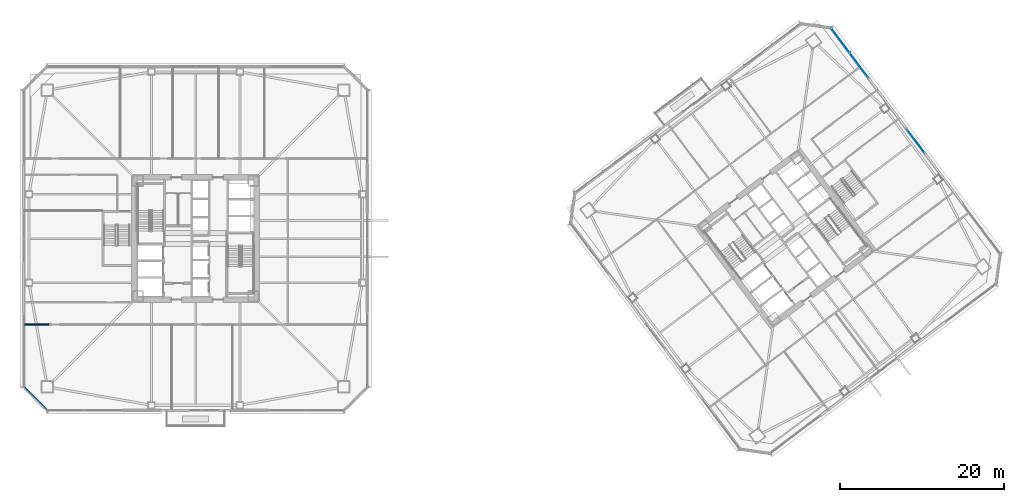
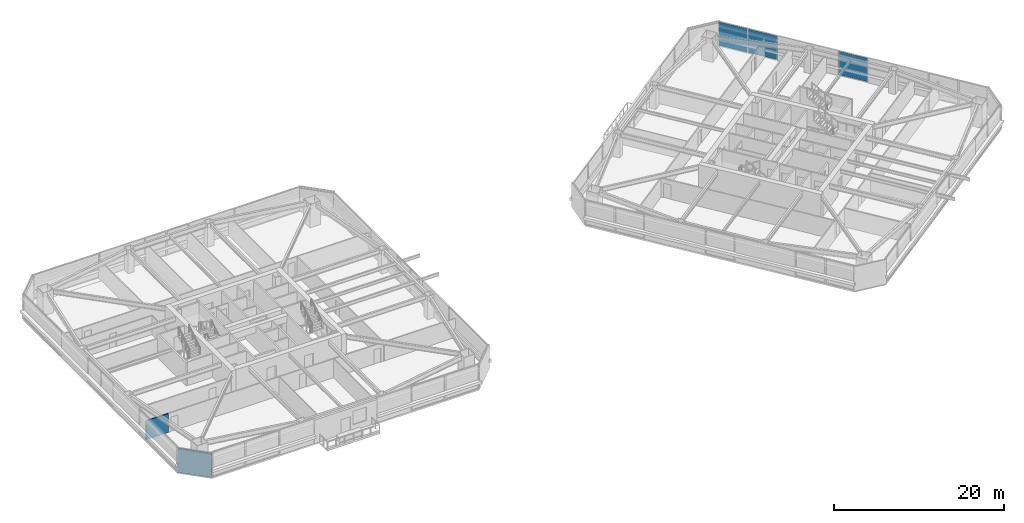
# One storey, part 32 of 44: 3 plates, 2 walls, 2 elements without a shape of their own.
"""IFC4 building model written with IfcOpenShell, lengths in metres."""

from ifc_helpers import new_model, si_unit, direction, frame, frame_2d, origin, origin_2d, place, context, subcontext, project, spatial, rectangle, extrude, material, layer, layer_set, type_object, element, aggregate, save


model = new_model("IFC4")

# Units and contexts
model_context = context("Model", 3, precision=1e-05, world=origin(), true_north=direction((0.0, 1.0)))
body_context = subcontext(model_context, "Body", "Model", "MODEL_VIEW")
ifc_project = project(units=[si_unit("LENGTHUNIT", "METRE"), si_unit("AREAUNIT", "SQUARE_METRE"), si_unit("VOLUMEUNIT", "CUBIC_METRE"), si_unit("PLANEANGLEUNIT", "RADIAN"), si_unit("MASSUNIT", "GRAM", prefix="KILO")], contexts=[model_context])

# Site, building, storey
site_placement = place(None, origin())
site = spatial("IfcSite", under=ifc_project, at=site_placement, CompositionType="ELEMENT")
building_placement = place(site_placement, origin())
building = spatial("IfcBuilding", under=site, at=building_placement, Name="Tashvorn Skyway Center", CompositionType="ELEMENT")
storey_placement = place(building_placement, frame((0.0, 0.0, 95.60009765625)))
storey = spatial("IfcBuildingStorey", under=building, at=storey_placement, Name="L25", CompositionType="ELEMENT", Elevation=95.60009765625)

# Curtain wall, plates
ifc_material_1 = material(Name="Thermally broken bronze-anodized aluminium 6063-T6", Category="aluminium")
curtain_wall_type = type_object("IfcCurtainWallType", Name="CW-CW-Z2", PredefinedType="NOTDEFINED", material=ifc_material_1)
curtain_wall_1_placement = place(storey_placement, origin())
curtain_wall_1 = element("IfcCurtainWall", 1, at=curtain_wall_1_placement, inside=storey, type_object=curtain_wall_type, Name="Tower 2 L25 East Unitised Curtain Wall Glazing Group 1", PredefinedType="NOTDEFINED")
ifc_material_2 = material(Name="Low-E solar-control double insulating safety glass", Category="glass")
ifc_layer_1 = layer(ifc_material_2, 0.0439453125)
ifc_layer_set_1 = layer_set([ifc_layer_1], Name="Low-E solar-control double insulating safety glass")
plate_type = type_object("IfcPlateType", Name="CWP-CW-Z2", PredefinedType="CURTAIN_PANEL", material=ifc_layer_set_1)
plate_1_placement = place(storey_placement, frame((120.699951171875, 56.199951171875, 0.080078125), z_axis=(0.0, 0.0, 1.0), x_axis=(0.600000000002, -0.799999999998, 0.0)))
plate_1 = element("IfcPlate", 2, at=plate_1_placement, type_object=plate_type, Name="CW-Z2 panel 1.1", PredefinedType="CURTAIN_PANEL", context=body_context, shape_type="SweptSolid", body=[
    extrude(rectangle(XDim=3.719970703125, YDim=0.0439453125, at=origin_2d()), origin(), (0.0, 0.0, 1.0), 3.389892578125),
])
plate_2_placement = place(storey_placement, frame((122.97998046875, 53.159912109375, 0.080078125), z_axis=(0.0, 0.0, 1.0), x_axis=(0.600000000002, -0.799999999998, 0.0)))
plate_2 = element("IfcPlate", 3, at=plate_2_placement, type_object=plate_type, Name="CW-Z2 panel 2.1", PredefinedType="CURTAIN_PANEL", context=body_context, shape_type="SweptSolid", body=[
    extrude(rectangle(XDim=3.719970703125, YDim=0.0439453125, at=origin_2d()), origin(), (0.0, 0.0, 1.0), 3.389892578125),
])
aggregate(curtain_wall_1, [plate_1, plate_2])

# Curtain wall, plate
curtain_wall_2_placement = place(storey_placement, origin())
curtain_wall_2 = element("IfcCurtainWall", 4, at=curtain_wall_2_placement, inside=storey, type_object=curtain_wall_type, Name="Tower 2 L25 East Unitised Curtain Wall Glazing Group 2", PredefinedType="NOTDEFINED")
plate_3_placement = place(storey_placement, frame((129.904052734375, 43.927978515625, 0.080078125), z_axis=(0.0, 0.0, 1.0), x_axis=(0.600000000002, -0.799999999998, 0.0)))
plate_3 = element("IfcPlate", 5, at=plate_3_placement, type_object=plate_type, Name="CW-Z2 panel 1.1", PredefinedType="CURTAIN_PANEL", context=body_context, shape_type="SweptSolid", body=[
    extrude(rectangle(XDim=3.679931640625, YDim=0.0439453125, at=origin_2d()), origin(), (0.0, 0.0, 1.0), 3.389892578125),
])
aggregate(curtain_wall_2, [plate_3])

# Walls
ifc_material_3 = material(Name="Precast concrete C40/50", Category="concrete")
ifc_layer_2 = layer(ifc_material_3, 0.280029296875)
ifc_layer_set_2 = layer_set([ifc_layer_2], Name="Precast concrete C40/50")
wall_type_1 = type_object("IfcWallType", Name="WALL-EXT-280", PredefinedType="SOLIDWALL", material=ifc_layer_set_2)
wall_1_placement = place(storey_placement, frame((23.89990234375, 11.0, 0.0), z_axis=(0.0, 0.0, 1.0), x_axis=(-0.707106781187, 0.707106781187, 0.0)))
element("IfcWall", 6, at=wall_1_placement, inside=storey, type_object=wall_type_1, Name="Tower 1 L25 SW Precast Chamfer Wall", PredefinedType="SOLIDWALL", context=body_context, shape_type="SweptSolid", body=[
    extrude(rectangle(XDim=4.10107421875, YDim=0.280029296875, at=frame_2d((2.050537109375, 0.0))), origin(), (0.0, 0.0, 1.0), 3.349853515625),
])
ifc_material_4 = material(Name="Gypsum board on cold-formed steel stud framing", Category="steel")
ifc_layer_3 = layer(ifc_material_4, 0.135009765625)
ifc_layer_set_3 = layer_set([ifc_layer_3], Name="Gypsum board on cold-formed steel stud framing")
wall_type_2 = type_object("IfcWallType", Name="WALL-PART-135", PredefinedType="PARTITIONING", material=ifc_layer_set_3)
wall_2_placement = place(storey_placement, frame((21.02001953125, 21.5, 0.0), z_axis=(0.0, 0.0, 1.0), x_axis=(1.0, 0.0, 0.0)))
element("IfcWall", 7, at=wall_2_placement, inside=storey, type_object=wall_type_2, Name="Tower 1 L25 South-West Suite North Wall", PredefinedType="PARTITIONING", context=body_context, shape_type="SweptSolid", body=[
    extrude(rectangle(XDim=3.030029296875, YDim=0.135009765625, at=frame_2d((1.51513671875, 0.0))), origin(), (0.0, 0.0, 1.0), 2.702880859375),
])

save(model, "model.ifc")
